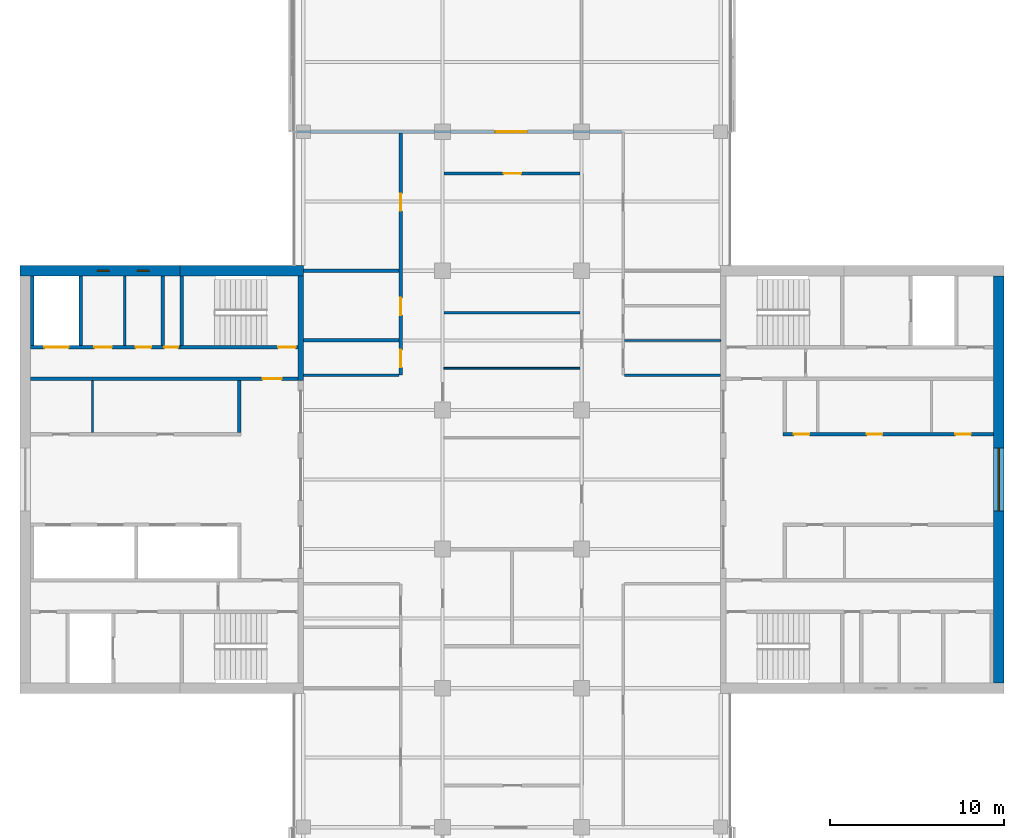
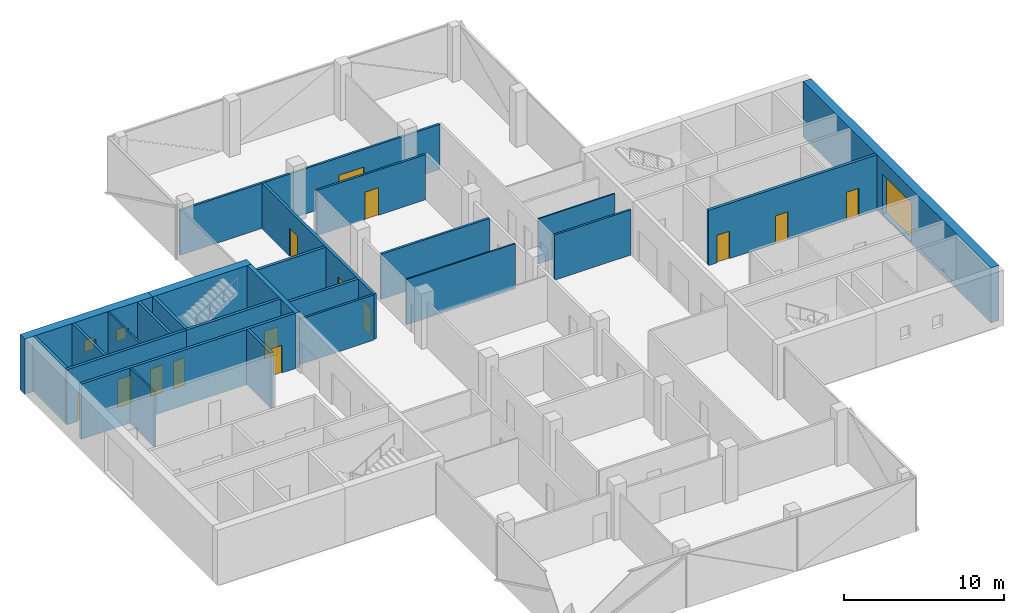
# One storey, part 11 of 15: 25 walls, 14 doors, 3 windows, 17 openings.
"""IFC4 building model written with IfcOpenShell, lengths in metres."""

from ifc_helpers import new_model, si_unit, direction, frame, frame_2d, origin, place, context, subcontext, project, spatial, rectangle, extrude, material, layer, layer_set, constituent, constituent_set, type_object, element, fill, save


model = new_model("IFC4")

# Units and contexts
model_context = context("Model", 3, precision=1e-05, world=origin(), true_north=direction((0.0, 1.0)))
body_context = subcontext(model_context, "Body", "Model", "MODEL_VIEW")
ifc_project = project(units=[si_unit("LENGTHUNIT", "METRE"), si_unit("AREAUNIT", "SQUARE_METRE"), si_unit("VOLUMEUNIT", "CUBIC_METRE"), si_unit("PLANEANGLEUNIT", "RADIAN"), si_unit("MASSUNIT", "GRAM", prefix="KILO")], contexts=[model_context])

# Site, building, storey
site_placement = place(None, origin())
site = spatial("IfcSite", under=ifc_project, at=site_placement, CompositionType="ELEMENT")
building_placement = place(site_placement, origin())
building = spatial("IfcBuilding", under=site, at=building_placement, Name="Crosswind Convention Tower", CompositionType="ELEMENT")
storey_placement = place(building_placement, frame((0.0, 0.0, 225.10009765625)))
storey = spatial("IfcBuildingStorey", under=building, at=storey_placement, Name="L48", CompositionType="ELEMENT", Elevation=225.10009765625)

# Wall
ifc_material_1 = material(Name="Concrete blockwork", Category="masonry")
ifc_layer_1 = layer(ifc_material_1, 0.199951171875)
ifc_layer_set_1 = layer_set([ifc_layer_1], Name="Blockwork partition wall 200")
wall_type_1 = type_object("IfcWallType", Name="Blockwork partition wall 200", PredefinedType="PARTITIONING", material=ifc_layer_set_1)
wall_1_placement = place(storey_placement, frame((104.89990234375, 111.699951171875, 0.0), z_axis=(0.0, 0.0, 1.0), x_axis=(0.0, -1.0, 0.0)))
element("IfcWall", 1, at=wall_1_placement, inside=storey, type_object=wall_type_1, Name="Wall MRSE W L48", PredefinedType="PARTITIONING", context=body_context, shape_type="SweptSolid", body=[
    extrude(rectangle(XDim=4.0, YDim=0.199951171875, at=frame_2d((2.0, 0.0))), origin(), (0.0, 0.0, 1.0), 4.199951171875),
])

# Wall, openings, doors
ifc_layer_2 = layer(ifc_material_1, 0.199951171875)
ifc_layer_set_2 = layer_set([ifc_layer_2], Name="COMPARTMENT WALL 200 BLOCKWORK")
wall_type_2 = type_object("IfcWallType", Name="COMPARTMENT WALL 200 BLOCKWORK", PredefinedType="SOLIDWALL", material=ifc_layer_set_2)
wall_2_placement = place(storey_placement, frame((118.60009765625, 106.0, 0.0), z_axis=(0.0, 0.0, 1.0), x_axis=(0.0, 1.0, 0.0)))
wall_2 = element("IfcWall", 2, at=wall_2_placement, inside=storey, type_object=wall_type_2, Name="Compartment wall WT42", PredefinedType="SOLIDWALL", context=body_context, shape_type="SweptSolid", body=[
    extrude(rectangle(XDim=13.925048828125, YDim=0.199951171875, at=frame_2d((6.96240234375, 0.0))), origin(), (0.0, 0.0, 1.0), 3.439697265625),
])
opening_1_placement = place(wall_2_placement, frame((0.449951171875, 0.0, 0.0)))
opening_1 = element("IfcOpeningElement", 3, at=opening_1_placement, cuts=wall_2, Name="Opening L48-55", PredefinedType="OPENING", context=body_context, shape_type="SweptSolid", body=[
    extrude(rectangle(XDim=1.0, YDim=2.10009765625, at=frame_2d((0.5, 1.050048828125))), frame((0.0, 0.10986328125, 0.0), z_axis=(0.0, -1.0, 0.0), x_axis=(1.0, 0.0, 0.0)), (0.0, 0.0, 1.0), 0.219970703125),
])
opening_2_placement = place(wall_2_placement, frame((3.449951171875, 0.0, 0.0)))
opening_2 = element("IfcOpeningElement", 4, at=opening_2_placement, cuts=wall_2, Name="Opening L48-56", PredefinedType="OPENING", context=body_context, shape_type="SweptSolid", body=[
    extrude(rectangle(XDim=1.0, YDim=2.10009765625, at=frame_2d((0.5, 1.050048828125))), frame((0.0, 0.10986328125, 0.0), z_axis=(0.0, -1.0, 0.0), x_axis=(1.0, 0.0, 0.0)), (0.0, 0.0, 1.0), 0.219970703125),
])
opening_3_placement = place(wall_2_placement, frame((9.449951171875, 0.0, 0.0)))
opening_3 = element("IfcOpeningElement", 5, at=opening_3_placement, cuts=wall_2, Name="Opening L48-57", PredefinedType="OPENING", context=body_context, shape_type="SweptSolid", body=[
    extrude(rectangle(XDim=1.0, YDim=2.10009765625, at=frame_2d((0.5, 1.050048828125))), frame((0.0, 0.10986328125, 0.0), z_axis=(0.0, -1.0, 0.0), x_axis=(1.0, 0.0, 0.0)), (0.0, 0.0, 1.0), 0.219970703125),
])
ifc_material_2 = material(Name="Steel fire door", Category="steel")
door_type_1 = type_object("IfcDoorType", Name="PLANT ROOM DOOR 1000X2100 FD60", OperationType="NOTDEFINED", PredefinedType="DOOR", material=ifc_material_2)
door_1_placement = place(opening_2_placement, origin())
door_1 = element("IfcDoor", 6, at=door_1_placement, inside=storey, type_object=door_type_1, Name="Door L48-56", ObjectType="D43", OperationType="SINGLE_SWING_LEFT", OverallHeight=2.10009765625, OverallWidth=1.0, PredefinedType="DOOR", context=body_context, shape_type="SweptSolid", body=[
    extrude(rectangle(XDim=1.0, YDim=2.10009765625, at=frame_2d((0.5, 1.050048828125))), frame((0.0, 0.02490234375, 0.0), z_axis=(0.0, -1.0, 0.0), x_axis=(1.0, 0.0, 0.0)), (0.0, 0.0, 1.0), 0.050048828125),
])
fill(opening_2, door_1)
ifc_material_3 = material(Name="Timber fire door", Category="wood")
door_type_2 = type_object("IfcDoorType", Name="TENANCY ENTRANCE DOOR 1000X2100 FD30S", OperationType="NOTDEFINED", PredefinedType="DOOR", material=ifc_material_3)
door_2_placement = place(opening_1_placement, origin())
door_2 = element("IfcDoor", 7, at=door_2_placement, inside=storey, type_object=door_type_2, Name="Door L48-55", ObjectType="D41", OperationType="SINGLE_SWING_LEFT", OverallHeight=2.10009765625, OverallWidth=1.0, PredefinedType="DOOR", context=body_context, shape_type="SweptSolid", body=[
    extrude(rectangle(XDim=1.0, YDim=2.10009765625, at=frame_2d((0.5, 1.050048828125))), frame((0.0, 0.02490234375, 0.0), z_axis=(0.0, -1.0, 0.0), x_axis=(1.0, 0.0, 0.0)), (0.0, 0.0, 1.0), 0.050048828125),
])
fill(opening_1, door_2)
door_3_placement = place(opening_3_placement, origin())
door_3 = element("IfcDoor", 8, at=door_3_placement, inside=storey, type_object=door_type_2, Name="Door L48-57", ObjectType="D41", OperationType="SINGLE_SWING_LEFT", OverallHeight=2.10009765625, OverallWidth=1.0, PredefinedType="DOOR", context=body_context, shape_type="SweptSolid", body=[
    extrude(rectangle(XDim=1.0, YDim=2.10009765625, at=frame_2d((0.5, 1.050048828125))), frame((0.0, 0.02490234375, 0.0), z_axis=(0.0, -1.0, 0.0), x_axis=(1.0, 0.0, 0.0)), (0.0, 0.0, 1.0), 0.050048828125),
])
fill(opening_3, door_3)

# Walls
for number, where, z_axis, x_axis, name in (
    (9, (113.0, 108.0, 0.0), (0.0, 0.0, 1.0), (1.0, 0.0, 0.0), "Compartment wall WT42"),
    (10, (113.0, 112.0, 0.0), (0.0, 0.0, 1.0), (1.0, 0.0, 0.0), "Compartment wall WT42"),
):
    element("IfcWall", number, at=place(storey_placement, frame(where, z_axis=z_axis, x_axis=x_axis)), inside=storey, type_object=wall_type_2, Name=name, PredefinedType="SOLIDWALL", context=body_context, shape_type="SweptSolid", body=[
        extrude(rectangle(XDim=5.5, YDim=0.199951171875, at=frame_2d((2.75, 0.0))), origin(), (0.0, 0.0, 1.0), 3.439697265625),
    ])
ifc_material_4 = material(Name="Concrete C50/60", Category="concrete")
ifc_layer_3 = layer(ifc_material_4, 0.300048828125)
ifc_layer_set_3 = layer_set([ifc_layer_3], Name="Concrete C50/60")
wall_type_3 = type_object("IfcWallType", Name="Concrete inner core wall 300", PredefinedType="SHEAR", material=ifc_layer_set_3)
wall_3_placement = place(storey_placement, frame((112.85009765625, 111.699951171875, 0.0), z_axis=(0.0, 0.0, 1.0), x_axis=(0.0, -1.0, 0.0)))
element("IfcWall", 11, at=wall_3_placement, inside=storey, type_object=wall_type_3, Name="Wall EM W L48", PredefinedType="SHEAR", context=body_context, shape_type="SweptSolid", body=[
    extrude(rectangle(XDim=6.0, YDim=0.300048828125, at=frame_2d((3.0, 0.0))), origin(), (0.0, 0.0, 1.0), 4.199951171875),
])

# Wall, openings, doors
ifc_layer_4 = layer(ifc_material_4, 0.199951171875)
ifc_layer_set_4 = layer_set([ifc_layer_4], Name="Concrete C50/60")
wall_type_4 = type_object("IfcWallType", Name="Concrete shaft and stair wall 200", PredefinedType="SHEAR", material=ifc_layer_set_4)
wall_4_placement = place(storey_placement, frame((140.60009765625, 102.60009765625, 0.0), z_axis=(0.0, 0.0, 1.0), x_axis=(1.0, 0.0, 0.0)))
wall_4 = element("IfcWall", 12, at=wall_4_placement, inside=storey, type_object=wall_type_4, Name="Wall RPFRONT E L48", PredefinedType="SHEAR", context=body_context, shape_type="SweptSolid", body=[
    extrude(rectangle(XDim=12.099853515625, YDim=0.199951171875, at=frame_2d((6.0498046875, 0.0))), origin(), (0.0, 0.0, 1.0), 4.199951171875),
])
opening_4_placement = place(wall_4_placement, frame((0.611328125, 0.0, 0.0)))
opening_4 = element("IfcOpeningElement", 13, at=opening_4_placement, cuts=wall_4, Name="Opening D106", PredefinedType="OPENING", context=body_context, shape_type="SweptSolid", body=[
    extrude(rectangle(XDim=0.89990234375, YDim=2.10009765625, at=frame_2d((0.449951171875, 1.050048828125))), frame((0.0, 0.10986328125, 0.0), z_axis=(0.0, -1.0, 0.0), x_axis=(1.0, 0.0, 0.0)), (0.0, 0.0, 1.0), 0.219970703125),
])
opening_5_placement = place(wall_4_placement, frame((4.8076171875, 0.0, 0.0)))
opening_5 = element("IfcOpeningElement", 14, at=opening_5_placement, cuts=wall_4, Name="Opening D106", PredefinedType="OPENING", context=body_context, shape_type="SweptSolid", body=[
    extrude(rectangle(XDim=0.89990234375, YDim=2.10009765625, at=frame_2d((0.449951171875, 1.050048828125))), frame((0.0, 0.10986328125, 0.0), z_axis=(0.0, -1.0, 0.0), x_axis=(1.0, 0.0, 0.0)), (0.0, 0.0, 1.0), 0.219970703125),
])
opening_6_placement = place(wall_4_placement, frame((9.896240234375, 0.0, 0.0)))
opening_6 = element("IfcOpeningElement", 15, at=opening_6_placement, cuts=wall_4, Name="Opening D106", PredefinedType="OPENING", context=body_context, shape_type="SweptSolid", body=[
    extrude(rectangle(XDim=0.89990234375, YDim=2.10009765625, at=frame_2d((0.449951171875, 1.050048828125))), frame((0.0, 0.10986328125, 0.0), z_axis=(0.0, -1.0, 0.0), x_axis=(1.0, 0.0, 0.0)), (0.0, 0.0, 1.0), 0.219970703125),
])
ifc_material_5 = material(Name="Timber door", Category="wood")
door_type_3 = type_object("IfcDoorType", Name="Single leaf door 900x2100", OperationType="NOTDEFINED", PredefinedType="DOOR", material=ifc_material_5)
door_4_placement = place(opening_4_placement, origin())
door_4 = element("IfcDoor", 16, at=door_4_placement, inside=storey, type_object=door_type_3, Name="Door to tenant services room L48", ObjectType="D106", OperationType="SINGLE_SWING_RIGHT", OverallHeight=2.10009765625, OverallWidth=0.89990234375, PredefinedType="DOOR", context=body_context, shape_type="SweptSolid", body=[
    extrude(rectangle(XDim=0.89990234375, YDim=2.10009765625, at=frame_2d((0.449951171875, 1.050048828125))), frame((0.0, 0.02490234375, 0.0), z_axis=(0.0, -1.0, 0.0), x_axis=(1.0, 0.0, 0.0)), (0.0, 0.0, 1.0), 0.050048828125),
])
fill(opening_4, door_4)
door_5_placement = place(opening_5_placement, origin())
door_5 = element("IfcDoor", 17, at=door_5_placement, inside=storey, type_object=door_type_3, Name="Door to copy and print room L48", ObjectType="D106", OperationType="SINGLE_SWING_RIGHT", OverallHeight=2.10009765625, OverallWidth=0.89990234375, PredefinedType="DOOR", context=body_context, shape_type="SweptSolid", body=[
    extrude(rectangle(XDim=0.89990234375, YDim=2.10009765625, at=frame_2d((0.449951171875, 1.050048828125))), frame((0.0, 0.02490234375, 0.0), z_axis=(0.0, -1.0, 0.0), x_axis=(1.0, 0.0, 0.0)), (0.0, 0.0, 1.0), 0.050048828125),
])
fill(opening_5, door_5)
door_6_placement = place(opening_6_placement, origin())
door_6 = element("IfcDoor", 18, at=door_6_placement, inside=storey, type_object=door_type_3, Name="Door to meeting room L48", ObjectType="D106", OperationType="SINGLE_SWING_RIGHT", OverallHeight=2.10009765625, OverallWidth=0.89990234375, PredefinedType="DOOR", context=body_context, shape_type="SweptSolid", body=[
    extrude(rectangle(XDim=0.89990234375, YDim=2.10009765625, at=frame_2d((0.449951171875, 1.050048828125))), frame((0.0, 0.02490234375, 0.0), z_axis=(0.0, -1.0, 0.0), x_axis=(1.0, 0.0, 0.0)), (0.0, 0.0, 1.0), 0.050048828125),
])
fill(opening_6, door_6)

# Wall
wall_5_placement = place(storey_placement, frame((109.300048828125, 105.699951171875, 0.0), z_axis=(0.0, 0.0, 1.0), x_axis=(0.0, -1.0, 0.0)))
element("IfcWall", 19, at=wall_5_placement, inside=storey, type_object=wall_type_4, Name="Wall RMEND W L48", PredefinedType="SHEAR", context=body_context, shape_type="SweptSolid", body=[
    extrude(rectangle(XDim=3.0, YDim=0.199951171875, at=frame_2d((1.5, 0.0))), origin(), (0.0, 0.0, 1.0), 4.199951171875),
])

# Wall, opening, door
wall_6_placement = place(storey_placement, frame((112.699951171875, 105.800048828125, 0.0), z_axis=(0.0, 0.0, 1.0), x_axis=(-1.0, 0.0, 0.0)))
wall_6 = element("IfcWall", 20, at=wall_6_placement, inside=storey, type_object=wall_type_4, Name="Wall HM W L48", PredefinedType="SHEAR", context=body_context, shape_type="SweptSolid", body=[
    extrude(rectangle(XDim=15.39990234375, YDim=0.199951171875, at=frame_2d((7.699951171875, 0.0))), origin(), (0.0, 0.0, 1.0), 4.199951171875),
])
opening_7_placement = place(wall_6_placement, frame((0.949951171875, 0.0, 0.0)))
opening_7 = element("IfcOpeningElement", 21, at=opening_7_placement, cuts=wall_6, Name="Opening D104", PredefinedType="OPENING", context=body_context, shape_type="SweptSolid", body=[
    extrude(rectangle(XDim=1.10009765625, YDim=2.10009765625, at=frame_2d((0.550048828125, 1.050048828125))), frame((0.0, 0.10986328125, 0.0), z_axis=(0.0, -1.0, 0.0), x_axis=(1.0, 0.0, 0.0)), (0.0, 0.0, 1.0), 0.219970703125),
])
door_type_4 = type_object("IfcDoorType", Name="Fire-rated single door 1100x2100", OperationType="NOTDEFINED", PredefinedType="DOOR", material=ifc_material_2)
door_7_placement = place(opening_7_placement, origin())
door_7 = element("IfcDoor", 22, at=door_7_placement, inside=storey, type_object=door_type_4, Name="Corridor door L48", ObjectType="D104", OperationType="SINGLE_SWING_LEFT", OverallHeight=2.10009765625, OverallWidth=1.10009765625, PredefinedType="DOOR", context=body_context, shape_type="SweptSolid", body=[
    extrude(rectangle(XDim=1.10009765625, YDim=2.10009765625, at=frame_2d((0.550048828125, 1.050048828125))), frame((0.0, 0.02490234375, 0.0), z_axis=(0.0, -1.0, 0.0), x_axis=(1.0, 0.0, 0.0)), (0.0, 0.0, 1.0), 0.050048828125),
])
fill(opening_7, door_7)

# Walls
for number, where, z_axis, x_axis, name in (
    (23, (106.0, 111.699951171875, 0.0), (0.0, 0.0, 1.0), (0.0, -1.0, 0.0), "Wall MSE W L48"),
    (24, (100.199951171875, 111.699951171875, 0.0), (0.0, 0.0, 1.0), (0.0, -1.0, 0.0), "Wall MFSW W L48"),
    (25, (97.39990234375, 111.699951171875, 0.0), (0.0, 0.0, 1.0), (0.0, -1.0, 0.0), "Wall MFSE W L48"),
):
    element("IfcWall", number, at=place(storey_placement, frame(where, z_axis=z_axis, x_axis=x_axis)), inside=storey, type_object=wall_type_4, Name=name, PredefinedType="SHEAR", context=body_context, shape_type="SweptSolid", body=[
        extrude(rectangle(XDim=4.0, YDim=0.199951171875, at=frame_2d((2.0, 0.0))), origin(), (0.0, 0.0, 1.0), 4.199951171875),
    ])

# Wall, opening, door
wall_7_placement = place(storey_placement, frame((112.699951171875, 107.60009765625, 0.0), z_axis=(0.0, 0.0, 1.0), x_axis=(-1.0, 0.0, 0.0)))
wall_7 = element("IfcWall", 26, at=wall_7_placement, inside=storey, type_object=wall_type_4, Name="Wall MCW W L48", PredefinedType="SHEAR", context=body_context, shape_type="SweptSolid", body=[
    extrude(rectangle(XDim=6.800048828125, YDim=0.199951171875, at=frame_2d((3.39990234375, 0.0))), origin(), (0.0, 0.0, 1.0), 4.199951171875),
])
opening_8_placement = place(wall_7_placement, frame((0.14990234375, 0.0, 0.0)))
opening_8 = element("IfcOpeningElement", 27, at=opening_8_placement, cuts=wall_7, Name="Opening D103", PredefinedType="OPENING", context=body_context, shape_type="SweptSolid", body=[
    extrude(rectangle(XDim=1.0, YDim=2.10009765625, at=frame_2d((0.5, 1.050048828125))), frame((0.0, 0.10986328125, 0.0), z_axis=(0.0, -1.0, 0.0), x_axis=(1.0, 0.0, 0.0)), (0.0, 0.0, 1.0), 0.219970703125),
])
door_type_5 = type_object("IfcDoorType", Name="Fire-rated single door 1000x2100", OperationType="NOTDEFINED", PredefinedType="DOOR", material=ifc_material_2)
door_8_placement = place(opening_8_placement, frame((1.0, 0.0, 0.0), z_axis=(0.0, 0.0, 1.0), x_axis=(-1.0, 0.0, 0.0)))
door_8 = element("IfcDoor", 28, at=door_8_placement, inside=storey, type_object=door_type_5, Name="Stair ST4 door L48", ObjectType="D103", OperationType="SINGLE_SWING_RIGHT", OverallHeight=2.10009765625, OverallWidth=1.0, PredefinedType="DOOR", context=body_context, shape_type="SweptSolid", body=[
    extrude(rectangle(XDim=1.0, YDim=2.10009765625, at=frame_2d((0.5, 1.050048828125))), frame((0.0, 0.02490234375, 0.0), z_axis=(0.0, -1.0, 0.0), x_axis=(1.0, 0.0, 0.0)), (0.0, 0.0, 1.0), 0.050048828125),
])
fill(opening_8, door_8)

# Wall, openings, doors
wall_8_placement = place(storey_placement, frame((105.89990234375, 107.60009765625, 0.0), z_axis=(0.0, 0.0, 1.0), x_axis=(-1.0, 0.0, 0.0)))
wall_8 = element("IfcWall", 29, at=wall_8_placement, inside=storey, type_object=wall_type_4, Name="Wall MCX W L48", PredefinedType="SHEAR", context=body_context, shape_type="SweptSolid", body=[
    extrude(rectangle(XDim=8.599853515625, YDim=0.199951171875, at=frame_2d((4.2998046875, 0.0))), origin(), (0.0, 0.0, 1.0), 4.199951171875),
])
opening_9_placement = place(wall_8_placement, frame((0.10009765625, 0.0, 0.0)))
opening_9 = element("IfcOpeningElement", 30, at=opening_9_placement, cuts=wall_8, Name="Opening D105", PredefinedType="OPENING", context=body_context, shape_type="SweptSolid", body=[
    extrude(rectangle(XDim=0.800048828125, YDim=2.10009765625, at=frame_2d((0.39990234375, 1.050048828125))), frame((0.0, 0.10986328125, 0.0), z_axis=(0.0, -1.0, 0.0), x_axis=(1.0, 0.0, 0.0)), (0.0, 0.0, 1.0), 0.219970703125),
])
opening_10_placement = place(wall_8_placement, frame((1.65380859375, 0.0, 0.0)))
opening_10 = element("IfcOpeningElement", 31, at=opening_10_placement, cuts=wall_8, Name="Opening D106", PredefinedType="OPENING", context=body_context, shape_type="SweptSolid", body=[
    extrude(rectangle(XDim=0.89990234375, YDim=2.10009765625, at=frame_2d((0.449951171875, 1.050048828125))), frame((0.0, 0.10986328125, 0.0), z_axis=(0.0, -1.0, 0.0), x_axis=(1.0, 0.0, 0.0)), (0.0, 0.0, 1.0), 0.219970703125),
])
opening_11_placement = place(wall_8_placement, frame((3.916259765625, 0.0, 0.0)))
opening_11 = element("IfcOpeningElement", 32, at=opening_11_placement, cuts=wall_8, Name="Opening D103", PredefinedType="OPENING", context=body_context, shape_type="SweptSolid", body=[
    extrude(rectangle(XDim=1.0, YDim=2.10009765625, at=frame_2d((0.5, 1.050048828125))), frame((0.0, 0.10986328125, 0.0), z_axis=(0.0, -1.0, 0.0), x_axis=(1.0, 0.0, 0.0)), (0.0, 0.0, 1.0), 0.219970703125),
])
opening_12_placement = place(wall_8_placement, frame((6.39990234375, 0.0, 0.0)))
opening_12 = element("IfcOpeningElement", 33, at=opening_12_placement, cuts=wall_8, Name="Opening LD2", PredefinedType="OPENING", context=body_context, shape_type="SweptSolid", body=[
    extrude(rectangle(XDim=1.39990234375, YDim=2.10009765625, at=frame_2d((0.699951171875, 1.050048828125))), frame((0.0, 0.10986328125, 0.0), z_axis=(0.0, -1.0, 0.0), x_axis=(1.0, 0.0, 0.0)), (0.0, 0.0, 1.0), 0.219970703125),
])
door_9_placement = place(opening_11_placement, frame((1.0, 0.0, 0.0), z_axis=(0.0, 0.0, 1.0), x_axis=(-1.0, 0.0, 0.0)))
door_9 = element("IfcDoor", 34, at=door_9_placement, inside=storey, type_object=door_type_5, Name="Door to accessible wc L48", ObjectType="D103", OperationType="SINGLE_SWING_LEFT", OverallHeight=2.10009765625, OverallWidth=1.0, PredefinedType="DOOR", context=body_context, shape_type="SweptSolid", body=[
    extrude(rectangle(XDim=1.0, YDim=2.10009765625, at=frame_2d((0.5, 1.050048828125))), frame((0.0, 0.02490234375, 0.0), z_axis=(0.0, -1.0, 0.0), x_axis=(1.0, 0.0, 0.0)), (0.0, 0.0, 1.0), 0.050048828125),
])
fill(opening_11, door_9)
ifc_material_6 = material(Name="Stainless steel", Category="steel")
door_type_6 = type_object("IfcDoorType", Name="Lift landing door 1400x2100", OperationType="DOUBLE_DOOR_SLIDING", PredefinedType="DOOR", material=ifc_material_6)
door_10_placement = place(opening_12_placement, origin())
door_10 = element("IfcDoor", 35, at=door_10_placement, inside=storey, type_object=door_type_6, Name="Landing door SV2 L48", ObjectType="LD2", OperationType="DOUBLE_DOOR_SLIDING", OverallHeight=2.10009765625, OverallWidth=1.39990234375, PredefinedType="DOOR", context=body_context, shape_type="SweptSolid", body=[
    extrude(rectangle(XDim=1.39990234375, YDim=2.10009765625, at=frame_2d((0.699951171875, 1.050048828125))), frame((0.0, 0.02490234375, 0.0), z_axis=(0.0, -1.0, 0.0), x_axis=(1.0, 0.0, 0.0)), (0.0, 0.0, 1.0), 0.050048828125),
])
fill(opening_12, door_10)
door_type_7 = type_object("IfcDoorType", Name="Riser access door 800x2100", OperationType="NOTDEFINED", PredefinedType="DOOR", material=ifc_material_2)
door_11_placement = place(opening_9_placement, frame((0.800048828125, 0.0, 0.0), z_axis=(0.0, 0.0, 1.0), x_axis=(-1.0, 0.0, 0.0)))
door_11 = element("IfcDoor", 36, at=door_11_placement, inside=storey, type_object=door_type_7, Name="Riser door L48", ObjectType="D105", OperationType="SINGLE_SWING_LEFT", OverallHeight=2.10009765625, OverallWidth=0.800048828125, PredefinedType="DOOR", context=body_context, shape_type="SweptSolid", body=[
    extrude(rectangle(XDim=0.800048828125, YDim=2.10009765625, at=frame_2d((0.39990234375, 1.050048828125))), frame((0.0, 0.02490234375, 0.0), z_axis=(0.0, -1.0, 0.0), x_axis=(1.0, 0.0, 0.0)), (0.0, 0.0, 1.0), 0.050048828125),
])
fill(opening_9, door_11)
door_12_placement = place(opening_10_placement, frame((0.89990234375, 0.0, 0.0), z_axis=(0.0, 0.0, 1.0), x_axis=(-1.0, 0.0, 0.0)))
door_12 = element("IfcDoor", 37, at=door_12_placement, inside=storey, type_object=door_type_3, Name="Door to wc L48", ObjectType="D106", OperationType="SINGLE_SWING_LEFT", OverallHeight=2.10009765625, OverallWidth=0.89990234375, PredefinedType="DOOR", context=body_context, shape_type="SweptSolid", body=[
    extrude(rectangle(XDim=0.89990234375, YDim=2.10009765625, at=frame_2d((0.449951171875, 1.050048828125))), frame((0.0, 0.02490234375, 0.0), z_axis=(0.0, -1.0, 0.0), x_axis=(1.0, 0.0, 0.0)), (0.0, 0.0, 1.0), 0.050048828125),
])
fill(opening_10, door_12)

# Walls
ifc_material_7 = material(Name="Gypsum plasterboard partition", Category="gypsum")
ifc_layer_5 = layer(ifc_material_7, 0.125)
ifc_layer_set_5 = layer_set([ifc_layer_5], Name="Drywall partition wall 125")
wall_type_5 = type_object("IfcWallType", Name="Drywall partition wall 125", PredefinedType="PARTITIONING", material=ifc_layer_set_5)
wall_9_placement = place(storey_placement, frame((100.8701171875, 105.699951171875, 0.0), z_axis=(0.0, 0.0, 1.0), x_axis=(0.0, -1.0, 0.0)))
element("IfcWall", 38, at=wall_9_placement, inside=storey, type_object=wall_type_5, Name="Wall RMP1 W L48", PredefinedType="PARTITIONING", context=body_context, shape_type="SweptSolid", body=[
    extrude(rectangle(XDim=3.0, YDim=0.125, at=frame_2d((1.5, 0.0))), origin(), (0.0, 0.0, 1.0), 4.199951171875),
])
wall_10_placement = place(storey_placement, frame((102.72998046875, 111.699951171875, 0.0), z_axis=(0.0, 0.0, 1.0), x_axis=(0.0, -1.0, 0.0)))
element("IfcWall", 39, at=wall_10_placement, inside=storey, type_object=wall_type_5, Name="Wall MWP1 W L48", PredefinedType="PARTITIONING", context=body_context, shape_type="SweptSolid", body=[
    extrude(rectangle(XDim=4.0, YDim=0.125, at=frame_2d((2.0, 0.0))), origin(), (0.0, 0.0, 1.0), 4.199951171875),
])
ifc_material_8 = material(Name="Plasterboard partition", Category="gypsum")
ifc_layer_6 = layer(ifc_material_8, 0.10009765625)
ifc_layer_set_6 = layer_set([ifc_layer_6], Name="PARTITION 100 METAL STUD")
wall_type_6 = type_object("IfcWallType", Name="PARTITION 100 METAL STUD", PredefinedType="PARTITIONING", material=ifc_layer_set_6)
wall_11_placement = place(storey_placement, frame((121.074951171875, 106.39990234375, 0.0), z_axis=(0.0, 0.0, 1.0), x_axis=(1.0, 0.0, 0.0)))
element("IfcWall", 40, at=wall_11_placement, inside=storey, type_object=wall_type_6, Name="Partition wall WT40", PredefinedType="PARTITIONING", context=body_context, shape_type="SweptSolid", body=[
    extrude(rectangle(XDim=7.824951171875, YDim=0.10009765625, at=frame_2d((3.91259765625, 0.0))), origin(), (0.0, 0.0, 1.0), 3.439697265625),
])
wall_12_placement = place(storey_placement, frame((131.47509765625, 108.0, 0.0), z_axis=(0.0, 0.0, 1.0), x_axis=(1.0, 0.0, 0.0)))
element("IfcWall", 41, at=wall_12_placement, inside=storey, type_object=wall_type_6, Name="Partition wall WT40", PredefinedType="PARTITIONING", context=body_context, shape_type="SweptSolid", body=[
    extrude(rectangle(XDim=5.52490234375, YDim=0.10009765625, at=frame_2d((2.762451171875, 0.0))), origin(), (0.0, 0.0, 1.0), 3.439697265625),
])
ifc_material_9 = material(Name="Fire-board partition with mineral wool", Category="gypsum")
ifc_layer_7 = layer(ifc_material_9, 0.14990234375)
ifc_layer_set_7 = layer_set([ifc_layer_7], Name="TENANCY WALL 150 TWO-HOUR BOARD")
wall_type_7 = type_object("IfcWallType", Name="TENANCY WALL 150 TWO-HOUR BOARD", PredefinedType="PARTITIONING", material=ifc_layer_set_7)
wall_13_placement = place(storey_placement, frame((113.0, 106.0, 0.0), z_axis=(0.0, 0.0, 1.0), x_axis=(1.0, 0.0, 0.0)))
element("IfcWall", 42, at=wall_13_placement, inside=storey, type_object=wall_type_7, Name="Tenancy wall WT41", PredefinedType="PARTITIONING", context=body_context, shape_type="SweptSolid", body=[
    extrude(rectangle(XDim=5.5, YDim=0.14990234375, at=frame_2d((2.75, 0.0))), origin(), (0.0, 0.0, 1.0), 3.439697265625),
])
wall_14_placement = place(storey_placement, frame((131.47509765625, 106.0, 0.0), z_axis=(0.0, 0.0, 1.0), x_axis=(1.0, 0.0, 0.0)))
element("IfcWall", 43, at=wall_14_placement, inside=storey, type_object=wall_type_7, Name="Tenancy wall WT41", PredefinedType="PARTITIONING", context=body_context, shape_type="SweptSolid", body=[
    extrude(rectangle(XDim=5.52490234375, YDim=0.14990234375, at=frame_2d((2.762451171875, 0.0))), origin(), (0.0, 0.0, 1.0), 3.439697265625),
])
wall_15_placement = place(storey_placement, frame((121.074951171875, 109.60009765625, 0.0), z_axis=(0.0, 0.0, 1.0), x_axis=(1.0, 0.0, 0.0)))
element("IfcWall", 44, at=wall_15_placement, inside=storey, type_object=wall_type_7, Name="Tenancy wall WT41", PredefinedType="PARTITIONING", context=body_context, shape_type="SweptSolid", body=[
    extrude(rectangle(XDim=7.824951171875, YDim=0.14990234375, at=frame_2d((3.91259765625, 0.0))), origin(), (0.0, 0.0, 1.0), 3.439697265625),
])

# Wall, opening, door
wall_16_placement = place(storey_placement, frame((121.074951171875, 117.60009765625, 0.0), z_axis=(0.0, 0.0, 1.0), x_axis=(1.0, 0.0, 0.0)))
wall_16 = element("IfcWall", 45, at=wall_16_placement, inside=storey, type_object=wall_type_7, Name="Tenancy wall WT41", PredefinedType="PARTITIONING", context=body_context, shape_type="SweptSolid", body=[
    extrude(rectangle(XDim=7.824951171875, YDim=0.14990234375, at=frame_2d((3.91259765625, 0.0))), origin(), (0.0, 0.0, 1.0), 3.439697265625),
])
opening_13_placement = place(wall_16_placement, frame((3.449951171875, 0.0, 0.0)))
opening_13 = element("IfcOpeningElement", 46, at=opening_13_placement, cuts=wall_16, Name="Opening L48-70", PredefinedType="OPENING", context=body_context, shape_type="SweptSolid", body=[
    extrude(rectangle(XDim=1.0, YDim=2.10009765625, at=frame_2d((0.5, 1.050048828125))), frame((0.0, 0.0849609375, 0.0), z_axis=(0.0, -1.0, 0.0), x_axis=(1.0, 0.0, 0.0)), (0.0, 0.0, 1.0), 0.169921875),
])
door_13_placement = place(opening_13_placement, frame((1.0, 0.0, 0.0), z_axis=(0.0, 0.0, 1.0), x_axis=(-1.0, 0.0, 0.0)))
door_13 = element("IfcDoor", 47, at=door_13_placement, inside=storey, type_object=door_type_2, Name="Door L48-70", ObjectType="D41", OperationType="SINGLE_SWING_LEFT", OverallHeight=2.10009765625, OverallWidth=1.0, PredefinedType="DOOR", context=body_context, shape_type="SweptSolid", body=[
    extrude(rectangle(XDim=1.0, YDim=2.10009765625, at=frame_2d((0.5, 1.050048828125))), frame((0.0, 0.02490234375, 0.0), z_axis=(0.0, -1.0, 0.0), x_axis=(1.0, 0.0, 0.0)), (0.0, 0.0, 1.0), 0.050048828125),
])
fill(opening_13, door_13)

wall_17_placement = place(storey_placement, frame((112.6298828125, 120.0, 0.0), z_axis=(0.0, 0.0, 1.0), x_axis=(1.0, 0.0, 0.0)))
wall_17 = element("IfcWall", 48, at=wall_17_placement, inside=storey, type_object=wall_type_7, Name="Tenancy wall WT41", PredefinedType="PARTITIONING", context=body_context, shape_type="SweptSolid", body=[
    extrude(rectangle(XDim=18.695068359375, YDim=0.14990234375, at=frame_2d((9.34765625, 0.0))), origin(), (0.0, 0.0, 1.0), 3.439697265625),
])
opening_14_placement = place(wall_17_placement, frame((11.419921875, 0.0, 0.0)))
opening_14 = element("IfcOpeningElement", 49, at=opening_14_placement, cuts=wall_17, Name="Opening L48-61", PredefinedType="OPENING", context=body_context, shape_type="SweptSolid", body=[
    extrude(rectangle(XDim=1.800048828125, YDim=2.10009765625, at=frame_2d((0.89990234375, 1.050048828125))), frame((0.0, 0.0849609375, 0.0), z_axis=(0.0, -1.0, 0.0), x_axis=(1.0, 0.0, 0.0)), (0.0, 0.0, 1.0), 0.169921875),
])
door_type_8 = type_object("IfcDoorType", Name="TENANCY ENTRANCE DOUBLE DOOR 1800X2100 FD30S", OperationType="DOUBLE_DOOR_SINGLE_SWING", PredefinedType="DOOR", material=ifc_material_3)
door_14_placement = place(opening_14_placement, origin())
door_14 = element("IfcDoor", 50, at=door_14_placement, inside=storey, type_object=door_type_8, Name="Door L48-61", ObjectType="D42", OperationType="DOUBLE_DOOR_SINGLE_SWING", OverallHeight=2.10009765625, OverallWidth=1.800048828125, PredefinedType="DOOR", context=body_context, shape_type="SweptSolid", body=[
    extrude(rectangle(XDim=1.800048828125, YDim=2.10009765625, at=frame_2d((0.89990234375, 1.050048828125))), frame((0.0, 0.02490234375, 0.0), z_axis=(0.0, -1.0, 0.0), x_axis=(1.0, 0.0, 0.0)), (0.0, 0.0, 1.0), 0.050048828125),
])
fill(opening_14, door_14)

# Wall, opening, window
ifc_material_10 = material(Name="Concrete C60/75", Category="concrete")
ifc_constituent_1 = constituent(ifc_material_10, Name="Structure")
ifc_material_11 = material(Name="Terracotta rainscreen", Category="ceramic")
ifc_constituent_2 = constituent(ifc_material_11, Name="Facing")
ifc_constituent_set = constituent_set(constituents=[ifc_constituent_1, ifc_constituent_2], Name="Concrete C60/75, Terracotta rainscreen")
wall_type_8 = type_object("IfcWallType", Name="Terracotta rainscreen on concrete core wall 600", PredefinedType="SHEAR", material=ifc_constituent_set)
wall_18_placement = place(storey_placement, frame((153.0, 88.300048828125, 0.0), z_axis=(0.0, 0.0, 1.0), x_axis=(0.0, 1.0, 0.0)))
wall_18 = element("IfcWall", 51, at=wall_18_placement, inside=storey, type_object=wall_type_8, Name="Wall O E L48", PredefinedType="SHEAR", context=body_context, shape_type="SweptSolid", body=[
    extrude(rectangle(XDim=23.39990234375, YDim=0.60009765625, at=frame_2d((11.699951171875, 0.0))), origin(), (0.0, 0.0, 1.0), 4.199951171875),
])
opening_15_placement = place(wall_18_placement, frame((9.89990234375, 0.0, 0.14990234375)))
opening_15 = element("IfcOpeningElement", 52, at=opening_15_placement, cuts=wall_18, Name="Opening W1", PredefinedType="OPENING", context=body_context, shape_type="SweptSolid", body=[
    extrude(rectangle(XDim=3.60009765625, YDim=3.0, at=frame_2d((1.800048828125, 1.5))), frame((0.0, 0.31005859375, 0.0), z_axis=(0.0, -1.0, 0.0), x_axis=(1.0, 0.0, 0.0)), (0.0, 0.0, 1.0), 0.6201171875),
])
ifc_material_12 = material(Name="Clear laminated glass in aluminium frame", Category="aluminium")
window_type_1 = type_object("IfcWindowType", Name="Lobby end window 3600x3000", PartitioningType="SINGLE_PANEL", PredefinedType="WINDOW", material=ifc_material_12)
window_1_placement = place(opening_15_placement, origin())
window_1 = element("IfcWindow", 53, at=window_1_placement, inside=storey, type_object=window_type_1, Name="Lobby end window L48", ObjectType="W1", OverallHeight=3.0, OverallWidth=3.60009765625, PartitioningType="SINGLE_PANEL", PredefinedType="WINDOW", context=body_context, shape_type="SweptSolid", body=[
    extrude(rectangle(XDim=3.60009765625, YDim=3.0, at=frame_2d((1.800048828125, 1.5))), frame((0.0, 0.030029296875, 0.0), z_axis=(0.0, -1.0, 0.0), x_axis=(1.0, 0.0, 0.0)), (0.0, 0.0, 1.0), 0.06005859375),
])
fill(opening_15, window_1)

# Wall
wall_19_placement = place(storey_placement, frame((113.0, 112.0, 0.0), z_axis=(0.0, 0.0, 1.0), x_axis=(-1.0, 0.0, 0.0)))
element("IfcWall", 54, at=wall_19_placement, inside=storey, type_object=wall_type_8, Name="Wall S1 W L48", PredefinedType="SHEAR", context=body_context, shape_type="SweptSolid", body=[
    extrude(rectangle(XDim=7.10009765625, YDim=0.60009765625, at=frame_2d((3.550048828125, 0.0))), origin(), (0.0, 0.0, 1.0), 4.199951171875),
])

# Wall, openings, windows
wall_20_placement = place(storey_placement, frame((105.89990234375, 112.0, 0.0), z_axis=(0.0, 0.0, 1.0), x_axis=(-1.0, 0.0, 0.0)))
wall_20 = element("IfcWall", 55, at=wall_20_placement, inside=storey, type_object=wall_type_8, Name="Wall S2 W L48", PredefinedType="SHEAR", context=body_context, shape_type="SweptSolid", body=[
    extrude(rectangle(XDim=9.199951171875, YDim=0.60009765625, at=frame_2d((4.60009765625, 0.0))), origin(), (0.0, 0.0, 1.0), 4.199951171875),
])
opening_16_placement = place(wall_20_placement, frame((1.753662109375, 0.0, 1.5)))
opening_16 = element("IfcOpeningElement", 56, at=opening_16_placement, cuts=wall_20, Name="Opening W2", PredefinedType="OPENING", context=body_context, shape_type="SweptSolid", body=[
    extrude(rectangle(XDim=0.699951171875, YDim=0.89990234375, at=frame_2d((0.35009765625, 0.449951171875))), frame((0.0, 0.31005859375, 0.0), z_axis=(0.0, -1.0, 0.0), x_axis=(1.0, 0.0, 0.0)), (0.0, 0.0, 1.0), 0.6201171875),
])
opening_17_placement = place(wall_20_placement, frame((4.066162109375, 0.0, 1.5)))
opening_17 = element("IfcOpeningElement", 57, at=opening_17_placement, cuts=wall_20, Name="Opening W2", PredefinedType="OPENING", context=body_context, shape_type="SweptSolid", body=[
    extrude(rectangle(XDim=0.699951171875, YDim=0.89990234375, at=frame_2d((0.35009765625, 0.449951171875))), frame((0.0, 0.31005859375, 0.0), z_axis=(0.0, -1.0, 0.0), x_axis=(1.0, 0.0, 0.0)), (0.0, 0.0, 1.0), 0.6201171875),
])
ifc_material_13 = material(Name="Obscure glass in aluminium frame", Category="aluminium")
window_type_2 = type_object("IfcWindowType", Name="WC window 700x900", PartitioningType="SINGLE_PANEL", PredefinedType="WINDOW", material=ifc_material_13)
window_2_placement = place(opening_16_placement, origin())
window_2 = element("IfcWindow", 58, at=window_2_placement, inside=storey, type_object=window_type_2, Name="WC window L48", ObjectType="W2", OverallHeight=0.89990234375, OverallWidth=0.699951171875, PartitioningType="SINGLE_PANEL", PredefinedType="WINDOW", context=body_context, shape_type="SweptSolid", body=[
    extrude(rectangle(XDim=0.699951171875, YDim=0.89990234375, at=frame_2d((0.35009765625, 0.449951171875))), frame((0.0, 0.030029296875, 0.0), z_axis=(0.0, -1.0, 0.0), x_axis=(1.0, 0.0, 0.0)), (0.0, 0.0, 1.0), 0.06005859375),
])
fill(opening_16, window_2)
window_3_placement = place(opening_17_placement, origin())
window_3 = element("IfcWindow", 59, at=window_3_placement, inside=storey, type_object=window_type_2, Name="WC window L48", ObjectType="W2", OverallHeight=0.89990234375, OverallWidth=0.699951171875, PartitioningType="SINGLE_PANEL", PredefinedType="WINDOW", context=body_context, shape_type="SweptSolid", body=[
    extrude(rectangle(XDim=0.699951171875, YDim=0.89990234375, at=frame_2d((0.35009765625, 0.449951171875))), frame((0.0, 0.030029296875, 0.0), z_axis=(0.0, -1.0, 0.0), x_axis=(1.0, 0.0, 0.0)), (0.0, 0.0, 1.0), 0.06005859375),
])
fill(opening_17, window_3)

save(model, "model.ifc")
